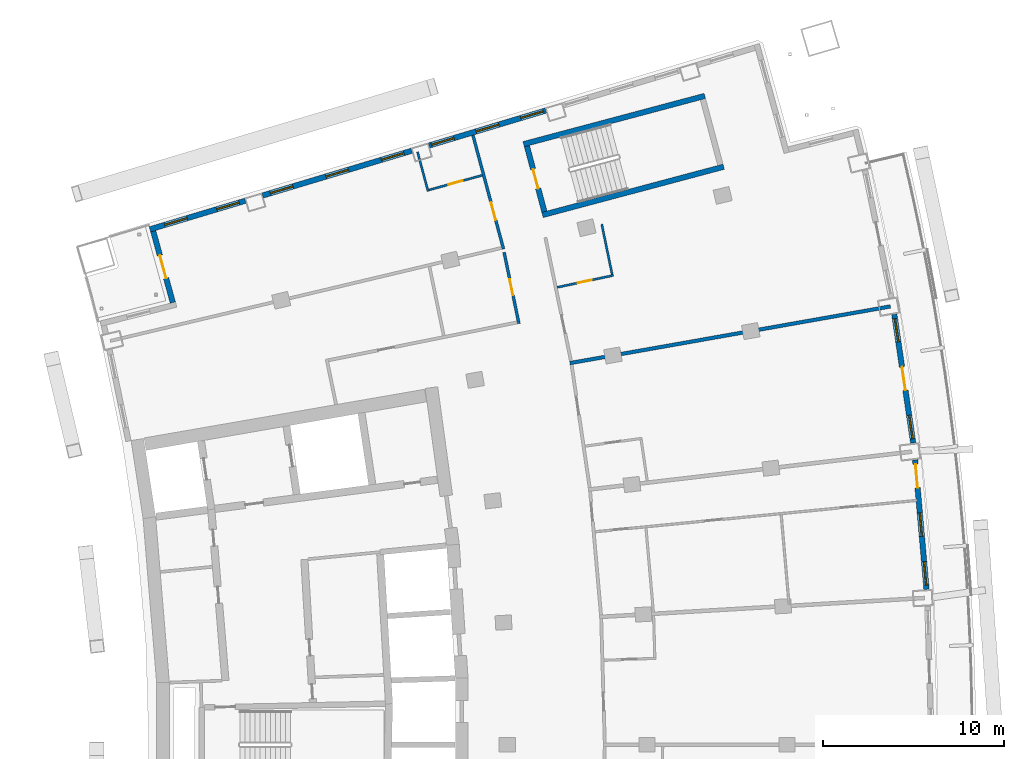
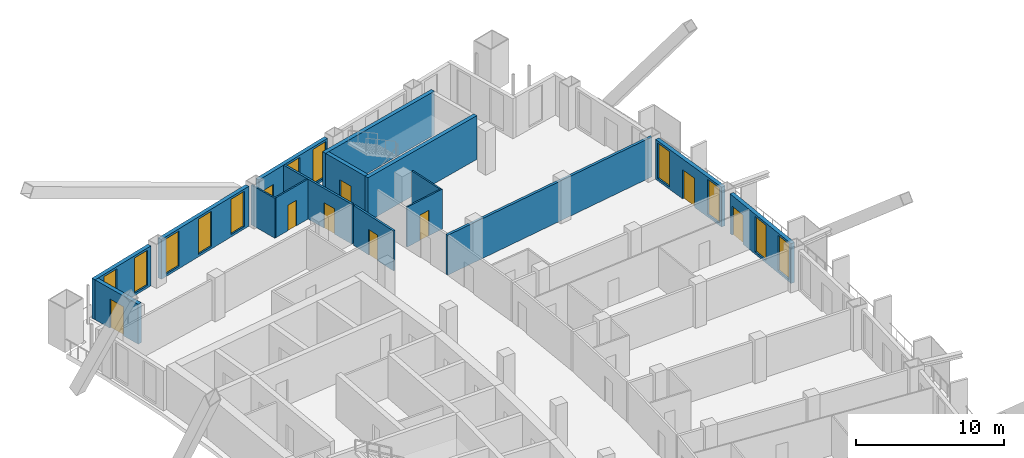
# One storey, part 15 of 19: 16 walls, 12 windows, 8 doors, 20 openings.
"""IFC4 building model written with IfcOpenShell, lengths in metres."""

from ifc_helpers import new_model, si_unit, direction, frame, frame_2d, origin, place, context, subcontext, project, spatial, rectangle, extrude, material, layer, layer_set, type_object, element, fill, save


model = new_model("IFC4")

# Units and contexts
model_context = context("Model", 3, precision=1e-05, world=origin(), true_north=direction((0.0, 1.0)))
body_context = subcontext(model_context, "Body", "Model", "MODEL_VIEW")
ifc_project = project(units=[si_unit("LENGTHUNIT", "METRE"), si_unit("AREAUNIT", "SQUARE_METRE"), si_unit("VOLUMEUNIT", "CUBIC_METRE"), si_unit("PLANEANGLEUNIT", "RADIAN"), si_unit("MASSUNIT", "GRAM", prefix="KILO")], contexts=[model_context])

# Site, building, storey
site_placement = place(None, origin())
site = spatial("IfcSite", under=ifc_project, at=site_placement, CompositionType="ELEMENT")
building_placement = place(site_placement, origin())
building = spatial("IfcBuilding", under=site, at=building_placement, Name="Alderwake Tower", CompositionType="ELEMENT")
storey_placement = place(building_placement, frame((0.0, 0.0, 171.199951171875)))
storey = spatial("IfcBuildingStorey", under=building, at=storey_placement, Name="L42", CompositionType="ELEMENT", Elevation=171.199951171875)

# Walls
ifc_material_1 = material(Name="Concrete C70/85", Category="concrete")
ifc_layer_1 = layer(ifc_material_1, 0.300048828125)
ifc_layer_set_1 = layer_set([ifc_layer_1], Name="Core wall stair enclosure 300 C70-85")
wall_type_1 = type_object("IfcWallType", Name="Core wall stair enclosure 300 C70-85", PredefinedType="SHEAR", material=ifc_layer_set_1)
for number, where, z_axis, x_axis, name in (
    (1, (36.71142578125, 94.182373046875, 0.0), (0.0, 0.0, 1.0), (0.966309214305, 0.257383958996, 0.0), "Core wall CW.082"),
    (2, (37.75390625, 90.268798828125, 0.0), (0.0, 0.0, 1.0), (0.966309214305, 0.257383958996, 0.0), "Core wall CW.084"),
):
    element("IfcWall", number, at=place(storey_placement, frame(where, z_axis=z_axis, x_axis=x_axis)), inside=storey, type_object=wall_type_1, Name=name, PredefinedType="SHEAR", context=body_context, shape_type="SweptSolid", body=[
        extrude(rectangle(XDim=10.360107421875, YDim=0.300048828125, at=frame_2d((5.18017578125, 0.0))), origin(), (0.0, 0.0, 1.0), 3.60009765625),
    ])

# Wall, opening, door
wall_1_placement = place(storey_placement, frame((37.8603515625, 90.452392578125, 0.0), z_axis=(0.0, 0.0, 1.0), x_axis=(-0.257411420208, 0.966301899381, 0.0)))
wall_1 = element("IfcWall", 3, at=wall_1_placement, inside=storey, type_object=wall_type_1, Name="Core wall CW.083", PredefinedType="SHEAR", context=body_context, shape_type="SweptSolid", body=[
    extrude(rectangle(XDim=3.750244140625, YDim=0.300048828125, at=frame_2d((1.875, 0.0))), origin(), (0.0, 0.0, 1.0), 3.60009765625),
])
opening_1_placement = place(wall_1_placement, frame((1.324951171875, 0.0, 0.0)))
opening_1 = element("IfcOpeningElement", 4, at=opening_1_placement, cuts=wall_1, Name="Opening C062", PredefinedType="OPENING", context=body_context, shape_type="SweptSolid", body=[
    extrude(rectangle(XDim=1.10009765625, YDim=2.10009765625, at=frame_2d((0.550048828125, 1.050048828125))), frame((0.0, 0.159912109375, 0.0), z_axis=(0.0, -1.0, 0.0), x_axis=(1.0, 0.0, 0.0)), (0.0, 0.0, 1.0), 0.320068359375),
])
ifc_material_2 = material(Name="Steel-framed fire door leaf", Category="steel")
door_type_1 = type_object("IfcDoorType", Name="Core stair door 1100 fire-rated", OperationType="SINGLE_SWING_LEFT", PredefinedType="DOOR", material=ifc_material_2)
door_1_placement = place(opening_1_placement, origin())
door_1 = element("IfcDoor", 5, at=door_1_placement, inside=storey, type_object=door_type_1, Name="Stair door", OperationType="SINGLE_SWING_RIGHT", OverallHeight=2.10009765625, OverallWidth=1.10009765625, PredefinedType="DOOR", context=body_context, shape_type="SweptSolid", body=[
    extrude(rectangle(XDim=1.10009765625, YDim=2.10009765625, at=frame_2d((0.550048828125, 1.050048828125))), frame((0.0, 0.02490234375, 0.0), z_axis=(0.0, -1.0, 0.0), x_axis=(1.0, 0.0, 0.0)), (0.0, 0.0, 1.0), 0.050048828125),
])
fill(opening_1, door_1)

ifc_material_3 = material(Name="Gypsum board on metal studs, rated")
ifc_layer_2 = layer(ifc_material_3, 0.159912109375)
ifc_layer_set_2 = layer_set([ifc_layer_2], Name="Corridor wall 160")
wall_type_2 = type_object("IfcWallType", Name="Corridor wall 160", PredefinedType="PARTITIONING", material=ifc_layer_set_2)
wall_2_placement = place(storey_placement, frame((35.600830078125, 88.392578125, 0.0), z_axis=(0.0, 0.0, 1.0), x_axis=(-0.259509260101, 0.965740619381, 0.0)))
wall_2 = element("IfcWall", 6, at=wall_2_placement, inside=storey, type_object=wall_type_2, Name="WL/L42/W19", PredefinedType="PARTITIONING", context=body_context, shape_type="SweptSolid", body=[
    extrude(rectangle(XDim=6.50732421875, YDim=0.159912109375, at=frame_2d((3.253662109375, 0.0))), origin(), (0.0, 0.0, 1.0), 3.280029296875),
])
opening_2_placement = place(wall_2_placement, frame((1.65771484375, 0.0, 0.0)))
opening_2 = element("IfcOpeningElement", 7, at=opening_2_placement, cuts=wall_2, Name="Opening R12-U11.1", PredefinedType="OPENING", context=body_context, shape_type="SweptSolid", body=[
    extrude(rectangle(XDim=1.0, YDim=2.10009765625, at=frame_2d((0.5, 1.050048828125))), frame((0.0, 0.08984375, 0.0), z_axis=(0.0, -1.0, 0.0), x_axis=(1.0, 0.0, 0.0)), (0.0, 0.0, 1.0), 0.179931640625),
])
ifc_material_4 = material(Name="Solid timber leaf in steel frame", Category="steel")
door_type_2 = type_object("IfcDoorType", Name="Flat entrance door 1000 fire-rated", OperationType="SINGLE_SWING_LEFT", PredefinedType="DOOR", material=ifc_material_4)
door_2_placement = place(opening_2_placement, origin())
door_2 = element("IfcDoor", 8, at=door_2_placement, inside=storey, type_object=door_type_2, Name="DR/L42/U11.1", OperationType="SINGLE_SWING_LEFT", OverallHeight=2.10009765625, OverallWidth=1.0, PredefinedType="DOOR", context=body_context, shape_type="SweptSolid", body=[
    extrude(rectangle(XDim=1.0, YDim=2.10009765625, at=frame_2d((0.5, 1.050048828125))), frame((0.0, 0.02490234375, 0.0), z_axis=(0.0, -1.0, 0.0), x_axis=(1.0, 0.0, 0.0)), (0.0, 0.0, 1.0), 0.050048828125),
])
fill(opening_2, door_2)

wall_3_placement = place(storey_placement, frame((36.451416015625, 84.272705078125, 0.0), z_axis=(0.0, 0.0, 1.0), x_axis=(-0.203258199701, 0.979125172924, 0.0)))
wall_3 = element("IfcWall", 9, at=wall_3_placement, inside=storey, type_object=wall_type_2, Name="WL/L42/W22", PredefinedType="PARTITIONING", context=body_context, shape_type="SweptSolid", body=[
    extrude(rectangle(XDim=4.020263671875, YDim=0.159912109375, at=frame_2d((2.01025390625, 0.0))), origin(), (0.0, 0.0, 1.0), 3.280029296875),
])
opening_3_placement = place(wall_3_placement, frame((1.599609375, 0.0, 0.0)))
opening_3 = element("IfcOpeningElement", 10, at=opening_3_placement, cuts=wall_3, Name="Opening R12-SBN2", PredefinedType="OPENING", context=body_context, shape_type="SweptSolid", body=[
    extrude(rectangle(XDim=0.89990234375, YDim=2.10009765625, at=frame_2d((0.449951171875, 1.050048828125))), frame((0.0, 0.08984375, 0.0), z_axis=(0.0, -1.0, 0.0), x_axis=(1.0, 0.0, 0.0)), (0.0, 0.0, 1.0), 0.179931640625),
])
ifc_material_5 = material(Name="Painted timber leaf", Category="wood")
door_type_3 = type_object("IfcDoorType", Name="Room door 900", OperationType="SINGLE_SWING_LEFT", PredefinedType="DOOR", material=ifc_material_5)
door_3_placement = place(opening_3_placement, origin())
door_3 = element("IfcDoor", 11, at=door_3_placement, inside=storey, type_object=door_type_3, Name="DR/L42/SBN2", OperationType="SINGLE_SWING_LEFT", OverallHeight=2.10009765625, OverallWidth=0.89990234375, PredefinedType="DOOR", context=body_context, shape_type="SweptSolid", body=[
    extrude(rectangle(XDim=0.89990234375, YDim=2.10009765625, at=frame_2d((0.449951171875, 1.050048828125))), frame((0.0, 0.02490234375, 0.0), z_axis=(0.0, -1.0, 0.0), x_axis=(1.0, 0.0, 0.0)), (0.0, 0.0, 1.0), 0.050048828125),
])
fill(opening_3, door_3)

# Wall, openings, door, windows
ifc_material_6 = material(Name="Precast concrete C50/60 spandrel panel", Category="concrete")
ifc_layer_3 = layer(ifc_material_6, 0.300048828125)
ifc_layer_set_3 = layer_set([ifc_layer_3], Name="External wall EW1 Precast concrete C50/60 spandrel")
wall_type_3 = type_object("IfcWallType", Name="External wall EW1 Precast concrete C50/60 spandrel", PredefinedType="SOLIDWALL", material=ifc_layer_set_3)
wall_4_placement = place(storey_placement, frame((58.9716796875, 69.589599609375, 0.0), z_axis=(0.0, 0.0, 1.0), x_axis=(-0.087372493124, 0.99617571113, 0.0)))
wall_4 = element("IfcWall", 12, at=wall_4_placement, inside=storey, type_object=wall_type_3, Name="External wall 17", PredefinedType="SOLIDWALL", context=body_context, shape_type="SweptSolid", body=[
    extrude(rectangle(XDim=7.175537109375, YDim=0.300048828125, at=frame_2d((3.587890625, 0.0))), origin(), (0.0, 0.0, 1.0), 3.280029296875),
])
opening_4_placement = place(wall_4_placement, frame((0.2353515625, 0.0, 0.199951171875)))
opening_4 = element("IfcOpeningElement", 13, at=opening_4_placement, cuts=wall_4, Name="Opening W1", PredefinedType="OPENING", context=body_context, shape_type="SweptSolid", body=[
    extrude(rectangle(XDim=1.300048828125, YDim=2.89990234375, at=frame_2d((0.64990234375, 1.449951171875))), frame((0.0, 0.159912109375, 0.0), z_axis=(0.0, -1.0, 0.0), x_axis=(1.0, 0.0, 0.0)), (0.0, 0.0, 1.0), 0.320068359375),
])
opening_5_placement = place(wall_4_placement, frame((2.937744140625, 0.0, 0.199951171875)))
opening_5 = element("IfcOpeningElement", 14, at=opening_5_placement, cuts=wall_4, Name="Opening W1", PredefinedType="OPENING", context=body_context, shape_type="SweptSolid", body=[
    extrude(rectangle(XDim=1.300048828125, YDim=2.89990234375, at=frame_2d((0.64990234375, 1.449951171875))), frame((0.0, 0.159912109375, 0.0), z_axis=(0.0, -1.0, 0.0), x_axis=(1.0, 0.0, 0.0)), (0.0, 0.0, 1.0), 0.320068359375),
])
opening_6_placement = place(wall_4_placement, frame((5.64013671875, 0.0, 0.0)))
opening_6 = element("IfcOpeningElement", 15, at=opening_6_placement, cuts=wall_4, Name="Opening D06", PredefinedType="OPENING", context=body_context, shape_type="SweptSolid", body=[
    extrude(rectangle(XDim=1.300048828125, YDim=2.39990234375, at=frame_2d((0.64990234375, 1.199951171875))), frame((0.0, 0.159912109375, 0.0), z_axis=(0.0, -1.0, 0.0), x_axis=(1.0, 0.0, 0.0)), (0.0, 0.0, 1.0), 0.320068359375),
])
ifc_material_7 = material(Name="Bronze tinted glass in aluminium frame", Category="aluminium")
door_type_4 = type_object("IfcDoorType", Name="Balcony door BD sliding", OperationType="SLIDING_TO_LEFT", PredefinedType="DOOR", material=ifc_material_7)
door_4_placement = place(opening_6_placement, origin())
door_4 = element("IfcDoor", 16, at=door_4_placement, inside=storey, type_object=door_type_4, Name="Door D06", OperationType="SLIDING_TO_LEFT", OverallHeight=2.39990234375, OverallWidth=1.300048828125, PredefinedType="DOOR", context=body_context, shape_type="SweptSolid", body=[
    extrude(rectangle(XDim=1.300048828125, YDim=2.39990234375, at=frame_2d((0.64990234375, 1.199951171875))), frame((0.0, 0.02490234375, 0.0), z_axis=(0.0, -1.0, 0.0), x_axis=(1.0, 0.0, 0.0)), (0.0, 0.0, 1.0), 0.050048828125),
])
fill(opening_6, door_4)
ifc_material_8 = material(Name="Bronze tinted glass in aluminium frame", Category="aluminium")
window_type_1 = type_object("IfcWindowType", Name="Window W1 tall fixed and vent", PartitioningType="DOUBLE_PANEL_VERTICAL", PredefinedType="WINDOW", material=ifc_material_8)
window_1_placement = place(opening_4_placement, origin())
window_1 = element("IfcWindow", 17, at=window_1_placement, inside=storey, type_object=window_type_1, Name="Window W1 tall fixed and vent", OverallHeight=2.89990234375, OverallWidth=1.300048828125, PartitioningType="DOUBLE_PANEL_VERTICAL", PredefinedType="WINDOW", context=body_context, shape_type="SweptSolid", body=[
    extrude(rectangle(XDim=1.300048828125, YDim=2.89990234375, at=frame_2d((0.64990234375, 1.449951171875))), frame((0.0, 0.030029296875, 0.0), z_axis=(0.0, -1.0, 0.0), x_axis=(1.0, 0.0, 0.0)), (0.0, 0.0, 1.0), 0.06005859375),
])
fill(opening_4, window_1)
window_2_placement = place(opening_5_placement, origin())
window_2 = element("IfcWindow", 18, at=window_2_placement, inside=storey, type_object=window_type_1, Name="Window W1 tall fixed and vent", OverallHeight=2.89990234375, OverallWidth=1.300048828125, PartitioningType="DOUBLE_PANEL_VERTICAL", PredefinedType="WINDOW", context=body_context, shape_type="SweptSolid", body=[
    extrude(rectangle(XDim=1.300048828125, YDim=2.89990234375, at=frame_2d((0.64990234375, 1.449951171875))), frame((0.0, 0.030029296875, 0.0), z_axis=(0.0, -1.0, 0.0), x_axis=(1.0, 0.0, 0.0)), (0.0, 0.0, 1.0), 0.06005859375),
])
fill(opening_5, window_2)

wall_5_placement = place(storey_placement, frame((58.234619140625, 77.677001953125, 0.0), z_axis=(0.0, 0.0, 1.0), x_axis=(-0.145316694365, 0.989385192096, 0.0)))
wall_5 = element("IfcWall", 19, at=wall_5_placement, inside=storey, type_object=wall_type_3, Name="External wall 18", PredefinedType="SOLIDWALL", context=body_context, shape_type="SweptSolid", body=[
    extrude(rectangle(XDim=7.175537109375, YDim=0.300048828125, at=frame_2d((3.587890625, 0.0))), origin(), (0.0, 0.0, 1.0), 3.280029296875),
])
opening_7_placement = place(wall_5_placement, frame((0.2353515625, 0.0, 0.199951171875)))
opening_7 = element("IfcOpeningElement", 20, at=opening_7_placement, cuts=wall_5, Name="Opening W1", PredefinedType="OPENING", context=body_context, shape_type="SweptSolid", body=[
    extrude(rectangle(XDim=1.300048828125, YDim=2.89990234375, at=frame_2d((0.64990234375, 1.449951171875))), frame((0.0, 0.159912109375, 0.0), z_axis=(0.0, -1.0, 0.0), x_axis=(1.0, 0.0, 0.0)), (0.0, 0.0, 1.0), 0.320068359375),
])
opening_8_placement = place(wall_5_placement, frame((2.937744140625, 0.0, 0.0)))
opening_8 = element("IfcOpeningElement", 21, at=opening_8_placement, cuts=wall_5, Name="Opening D07", PredefinedType="OPENING", context=body_context, shape_type="SweptSolid", body=[
    extrude(rectangle(XDim=1.300048828125, YDim=2.39990234375, at=frame_2d((0.64990234375, 1.199951171875))), frame((0.0, 0.159912109375, 0.0), z_axis=(0.0, -1.0, 0.0), x_axis=(1.0, 0.0, 0.0)), (0.0, 0.0, 1.0), 0.320068359375),
])
opening_9_placement = place(wall_5_placement, frame((5.64013671875, 0.0, 0.199951171875)))
opening_9 = element("IfcOpeningElement", 22, at=opening_9_placement, cuts=wall_5, Name="Opening W1", PredefinedType="OPENING", context=body_context, shape_type="SweptSolid", body=[
    extrude(rectangle(XDim=1.300048828125, YDim=2.89990234375, at=frame_2d((0.64990234375, 1.449951171875))), frame((0.0, 0.159912109375, 0.0), z_axis=(0.0, -1.0, 0.0), x_axis=(1.0, 0.0, 0.0)), (0.0, 0.0, 1.0), 0.320068359375),
])
door_5_placement = place(opening_8_placement, origin())
door_5 = element("IfcDoor", 23, at=door_5_placement, inside=storey, type_object=door_type_4, Name="Door D07", OperationType="SLIDING_TO_LEFT", OverallHeight=2.39990234375, OverallWidth=1.300048828125, PredefinedType="DOOR", context=body_context, shape_type="SweptSolid", body=[
    extrude(rectangle(XDim=1.300048828125, YDim=2.39990234375, at=frame_2d((0.64990234375, 1.199951171875))), frame((0.0, 0.02490234375, 0.0), z_axis=(0.0, -1.0, 0.0), x_axis=(1.0, 0.0, 0.0)), (0.0, 0.0, 1.0), 0.050048828125),
])
fill(opening_8, door_5)
window_3_placement = place(opening_7_placement, origin())
window_3 = element("IfcWindow", 24, at=window_3_placement, inside=storey, type_object=window_type_1, Name="Window W1 tall fixed and vent", OverallHeight=2.89990234375, OverallWidth=1.300048828125, PartitioningType="DOUBLE_PANEL_VERTICAL", PredefinedType="WINDOW", context=body_context, shape_type="SweptSolid", body=[
    extrude(rectangle(XDim=1.300048828125, YDim=2.89990234375, at=frame_2d((0.64990234375, 1.449951171875))), frame((0.0, 0.030029296875, 0.0), z_axis=(0.0, -1.0, 0.0), x_axis=(1.0, 0.0, 0.0)), (0.0, 0.0, 1.0), 0.06005859375),
])
fill(opening_7, window_3)
window_4_placement = place(opening_9_placement, origin())
window_4 = element("IfcWindow", 25, at=window_4_placement, inside=storey, type_object=window_type_1, Name="Window W1 tall fixed and vent", OverallHeight=2.89990234375, OverallWidth=1.300048828125, PartitioningType="DOUBLE_PANEL_VERTICAL", PredefinedType="WINDOW", context=body_context, shape_type="SweptSolid", body=[
    extrude(rectangle(XDim=1.300048828125, YDim=2.89990234375, at=frame_2d((0.64990234375, 1.449951171875))), frame((0.0, 0.030029296875, 0.0), z_axis=(0.0, -1.0, 0.0), x_axis=(1.0, 0.0, 0.0)), (0.0, 0.0, 1.0), 0.06005859375),
])
fill(opening_9, window_4)

# Wall, openings, windows
ifc_material_9 = material(Name="Bronze metal cladding on lightweight framing")
ifc_layer_4 = layer(ifc_material_9, 0.300048828125)
ifc_layer_set_4 = layer_set([ifc_layer_4], Name="External wall EW2 bronze metal cladding")
wall_type_4 = type_object("IfcWallType", Name="External wall EW2 bronze metal cladding", PredefinedType="SOLIDWALL", material=ifc_layer_set_4)
wall_6_placement = place(storey_placement, frame((37.9345703125, 96.0419921875, 0.0), z_axis=(0.0, 0.0, 1.0), x_axis=(-0.957766354081, -0.287547580396, 0.0)))
wall_6 = element("IfcWall", 26, at=wall_6_placement, inside=storey, type_object=wall_type_4, Name="External wall 25", PredefinedType="SOLIDWALL", context=body_context, shape_type="SweptSolid", body=[
    extrude(rectangle(XDim=6.7294921875, YDim=0.300048828125, at=frame_2d((3.36474609375, 0.0))), origin(), (0.0, 0.0, 1.0), 3.280029296875),
])
opening_10_placement = place(wall_6_placement, frame((0.136962890625, 0.0, 0.199951171875)))
opening_10 = element("IfcOpeningElement", 27, at=opening_10_placement, cuts=wall_6, Name="Opening W1", PredefinedType="OPENING", context=body_context, shape_type="SweptSolid", body=[
    extrude(rectangle(XDim=1.300048828125, YDim=2.89990234375, at=frame_2d((0.64990234375, 1.449951171875))), frame((0.0, 0.159912109375, 0.0), z_axis=(0.0, -1.0, 0.0), x_axis=(1.0, 0.0, 0.0)), (0.0, 0.0, 1.0), 0.320068359375),
])
opening_11_placement = place(wall_6_placement, frame((2.71484375, 0.0, 0.199951171875)))
opening_11 = element("IfcOpeningElement", 28, at=opening_11_placement, cuts=wall_6, Name="Opening W1", PredefinedType="OPENING", context=body_context, shape_type="SweptSolid", body=[
    extrude(rectangle(XDim=1.300048828125, YDim=2.89990234375, at=frame_2d((0.64990234375, 1.449951171875))), frame((0.0, 0.159912109375, 0.0), z_axis=(0.0, -1.0, 0.0), x_axis=(1.0, 0.0, 0.0)), (0.0, 0.0, 1.0), 0.320068359375),
])
opening_12_placement = place(wall_6_placement, frame((5.29248046875, 0.0, 1.0)))
opening_12 = element("IfcOpeningElement", 29, at=opening_12_placement, cuts=wall_6, Name="Opening W2", PredefinedType="OPENING", context=body_context, shape_type="SweptSolid", body=[
    extrude(rectangle(XDim=1.300048828125, YDim=1.199951171875, at=frame_2d((0.64990234375, 0.60009765625))), frame((0.0, 0.159912109375, 0.0), z_axis=(0.0, -1.0, 0.0), x_axis=(1.0, 0.0, 0.0)), (0.0, 0.0, 1.0), 0.320068359375),
])
window_5_placement = place(opening_10_placement, origin())
window_5 = element("IfcWindow", 30, at=window_5_placement, inside=storey, type_object=window_type_1, Name="Window W1 tall fixed and vent", OverallHeight=2.89990234375, OverallWidth=1.300048828125, PartitioningType="DOUBLE_PANEL_VERTICAL", PredefinedType="WINDOW", context=body_context, shape_type="SweptSolid", body=[
    extrude(rectangle(XDim=1.300048828125, YDim=2.89990234375, at=frame_2d((0.64990234375, 1.449951171875))), frame((0.0, 0.030029296875, 0.0), z_axis=(0.0, -1.0, 0.0), x_axis=(1.0, 0.0, 0.0)), (0.0, 0.0, 1.0), 0.06005859375),
])
fill(opening_10, window_5)
window_6_placement = place(opening_11_placement, origin())
window_6 = element("IfcWindow", 31, at=window_6_placement, inside=storey, type_object=window_type_1, Name="Window W1 tall fixed and vent", OverallHeight=2.89990234375, OverallWidth=1.300048828125, PartitioningType="DOUBLE_PANEL_VERTICAL", PredefinedType="WINDOW", context=body_context, shape_type="SweptSolid", body=[
    extrude(rectangle(XDim=1.300048828125, YDim=2.89990234375, at=frame_2d((0.64990234375, 1.449951171875))), frame((0.0, 0.030029296875, 0.0), z_axis=(0.0, -1.0, 0.0), x_axis=(1.0, 0.0, 0.0)), (0.0, 0.0, 1.0), 0.06005859375),
])
fill(opening_11, window_6)
ifc_material_10 = material(Name="Bronze tinted glass in aluminium frame", Category="aluminium")
window_type_2 = type_object("IfcWindowType", Name="Window W2 kitchen and bath", PartitioningType="SINGLE_PANEL", PredefinedType="WINDOW", material=ifc_material_10)
window_7_placement = place(opening_12_placement, origin())
window_7 = element("IfcWindow", 32, at=window_7_placement, inside=storey, type_object=window_type_2, Name="Window W2 kitchen and bath", OverallHeight=1.199951171875, OverallWidth=1.300048828125, PartitioningType="SINGLE_PANEL", PredefinedType="WINDOW", context=body_context, shape_type="SweptSolid", body=[
    extrude(rectangle(XDim=1.300048828125, YDim=1.199951171875, at=frame_2d((0.64990234375, 0.60009765625))), frame((0.0, 0.030029296875, 0.0), z_axis=(0.0, -1.0, 0.0), x_axis=(1.0, 0.0, 0.0)), (0.0, 0.0, 1.0), 0.06005859375),
])
fill(opening_12, window_7)

wall_7_placement = place(storey_placement, frame((30.527587890625, 93.818115234375, 0.0), z_axis=(0.0, 0.0, 1.0), x_axis=(-0.957768419769, -0.287540699891, 0.0)))
wall_7 = element("IfcWall", 33, at=wall_7_placement, inside=storey, type_object=wall_type_4, Name="External wall 26", PredefinedType="SOLIDWALL", context=body_context, shape_type="SweptSolid", body=[
    extrude(rectangle(XDim=8.595947265625, YDim=0.300048828125, at=frame_2d((4.2978515625, 0.0))), origin(), (0.0, 0.0, 1.0), 3.280029296875),
])
opening_13_placement = place(wall_7_placement, frame((0.447998046875, 0.0, 0.199951171875)))
opening_13 = element("IfcOpeningElement", 34, at=opening_13_placement, cuts=wall_7, Name="Opening W1", PredefinedType="OPENING", context=body_context, shape_type="SweptSolid", body=[
    extrude(rectangle(XDim=1.300048828125, YDim=2.89990234375, at=frame_2d((0.64990234375, 1.449951171875))), frame((0.0, 0.159912109375, 0.0), z_axis=(0.0, -1.0, 0.0), x_axis=(1.0, 0.0, 0.0)), (0.0, 0.0, 1.0), 0.320068359375),
])
opening_14_placement = place(wall_7_placement, frame((3.64794921875, 0.0, 0.199951171875)))
opening_14 = element("IfcOpeningElement", 35, at=opening_14_placement, cuts=wall_7, Name="Opening W1", PredefinedType="OPENING", context=body_context, shape_type="SweptSolid", body=[
    extrude(rectangle(XDim=1.300048828125, YDim=2.89990234375, at=frame_2d((0.64990234375, 1.449951171875))), frame((0.0, 0.159912109375, 0.0), z_axis=(0.0, -1.0, 0.0), x_axis=(1.0, 0.0, 0.0)), (0.0, 0.0, 1.0), 0.320068359375),
])
opening_15_placement = place(wall_7_placement, frame((6.84814453125, 0.0, 0.199951171875)))
opening_15 = element("IfcOpeningElement", 36, at=opening_15_placement, cuts=wall_7, Name="Opening W1", PredefinedType="OPENING", context=body_context, shape_type="SweptSolid", body=[
    extrude(rectangle(XDim=1.300048828125, YDim=2.89990234375, at=frame_2d((0.64990234375, 1.449951171875))), frame((0.0, 0.159912109375, 0.0), z_axis=(0.0, -1.0, 0.0), x_axis=(1.0, 0.0, 0.0)), (0.0, 0.0, 1.0), 0.320068359375),
])
window_8_placement = place(opening_13_placement, origin())
window_8 = element("IfcWindow", 37, at=window_8_placement, inside=storey, type_object=window_type_1, Name="Window W1 tall fixed and vent", OverallHeight=2.89990234375, OverallWidth=1.300048828125, PartitioningType="DOUBLE_PANEL_VERTICAL", PredefinedType="WINDOW", context=body_context, shape_type="SweptSolid", body=[
    extrude(rectangle(XDim=1.300048828125, YDim=2.89990234375, at=frame_2d((0.64990234375, 1.449951171875))), frame((0.0, 0.030029296875, 0.0), z_axis=(0.0, -1.0, 0.0), x_axis=(1.0, 0.0, 0.0)), (0.0, 0.0, 1.0), 0.06005859375),
])
fill(opening_13, window_8)
window_9_placement = place(opening_14_placement, origin())
window_9 = element("IfcWindow", 38, at=window_9_placement, inside=storey, type_object=window_type_1, Name="Window W1 tall fixed and vent", OverallHeight=2.89990234375, OverallWidth=1.300048828125, PartitioningType="DOUBLE_PANEL_VERTICAL", PredefinedType="WINDOW", context=body_context, shape_type="SweptSolid", body=[
    extrude(rectangle(XDim=1.300048828125, YDim=2.89990234375, at=frame_2d((0.64990234375, 1.449951171875))), frame((0.0, 0.030029296875, 0.0), z_axis=(0.0, -1.0, 0.0), x_axis=(1.0, 0.0, 0.0)), (0.0, 0.0, 1.0), 0.06005859375),
])
fill(opening_14, window_9)
window_10_placement = place(opening_15_placement, origin())
window_10 = element("IfcWindow", 39, at=window_10_placement, inside=storey, type_object=window_type_1, Name="Window W1 tall fixed and vent", OverallHeight=2.89990234375, OverallWidth=1.300048828125, PartitioningType="DOUBLE_PANEL_VERTICAL", PredefinedType="WINDOW", context=body_context, shape_type="SweptSolid", body=[
    extrude(rectangle(XDim=1.300048828125, YDim=2.89990234375, at=frame_2d((0.64990234375, 1.449951171875))), frame((0.0, 0.030029296875, 0.0), z_axis=(0.0, -1.0, 0.0), x_axis=(1.0, 0.0, 0.0)), (0.0, 0.0, 1.0), 0.06005859375),
])
fill(opening_15, window_10)

wall_8_placement = place(storey_placement, frame((21.332763671875, 91.0576171875, 0.0), z_axis=(0.0, 0.0, 1.0), x_axis=(-0.957767615614, -0.287543378434, 0.0)))
wall_8 = element("IfcWall", 40, at=wall_8_placement, inside=storey, type_object=wall_type_4, Name="External wall 27", PredefinedType="SOLIDWALL", context=body_context, shape_type="SweptSolid", body=[
    extrude(rectangle(XDim=5.499267578125, YDim=0.300048828125, at=frame_2d((2.74951171875, 0.0))), origin(), (0.0, 0.0, 1.0), 3.280029296875),
])
opening_16_placement = place(wall_8_placement, frame((0.34814453125, 0.0, 0.199951171875)))
opening_16 = element("IfcOpeningElement", 41, at=opening_16_placement, cuts=wall_8, Name="Opening W1", PredefinedType="OPENING", context=body_context, shape_type="SweptSolid", body=[
    extrude(rectangle(XDim=1.300048828125, YDim=2.89990234375, at=frame_2d((0.64990234375, 1.449951171875))), frame((0.0, 0.159912109375, 0.0), z_axis=(0.0, -1.0, 0.0), x_axis=(1.0, 0.0, 0.0)), (0.0, 0.0, 1.0), 0.320068359375),
])
opening_17_placement = place(wall_8_placement, frame((3.34912109375, 0.0, 0.199951171875)))
opening_17 = element("IfcOpeningElement", 42, at=opening_17_placement, cuts=wall_8, Name="Opening W1", PredefinedType="OPENING", context=body_context, shape_type="SweptSolid", body=[
    extrude(rectangle(XDim=1.300048828125, YDim=2.89990234375, at=frame_2d((0.64990234375, 1.449951171875))), frame((0.0, 0.159912109375, 0.0), z_axis=(0.0, -1.0, 0.0), x_axis=(1.0, 0.0, 0.0)), (0.0, 0.0, 1.0), 0.320068359375),
])
window_11_placement = place(opening_16_placement, origin())
window_11 = element("IfcWindow", 43, at=window_11_placement, inside=storey, type_object=window_type_1, Name="Window W1 tall fixed and vent", OverallHeight=2.89990234375, OverallWidth=1.300048828125, PartitioningType="DOUBLE_PANEL_VERTICAL", PredefinedType="WINDOW", context=body_context, shape_type="SweptSolid", body=[
    extrude(rectangle(XDim=1.300048828125, YDim=2.89990234375, at=frame_2d((0.64990234375, 1.449951171875))), frame((0.0, 0.030029296875, 0.0), z_axis=(0.0, -1.0, 0.0), x_axis=(1.0, 0.0, 0.0)), (0.0, 0.0, 1.0), 0.06005859375),
])
fill(opening_16, window_11)
window_12_placement = place(opening_17_placement, origin())
window_12 = element("IfcWindow", 44, at=window_12_placement, inside=storey, type_object=window_type_1, Name="Window W1 tall fixed and vent", OverallHeight=2.89990234375, OverallWidth=1.300048828125, PartitioningType="DOUBLE_PANEL_VERTICAL", PredefinedType="WINDOW", context=body_context, shape_type="SweptSolid", body=[
    extrude(rectangle(XDim=1.300048828125, YDim=2.89990234375, at=frame_2d((0.64990234375, 1.449951171875))), frame((0.0, 0.030029296875, 0.0), z_axis=(0.0, -1.0, 0.0), x_axis=(1.0, 0.0, 0.0)), (0.0, 0.0, 1.0), 0.06005859375),
])
fill(opening_17, window_12)

# Wall, opening, door
wall_9_placement = place(storey_placement, frame((16.248779296875, 89.374755859375, 0.0), z_axis=(0.0, 0.0, 1.0), x_axis=(0.264607053468, -0.964356317579, 0.0)))
wall_9 = element("IfcWall", 45, at=wall_9_placement, inside=storey, type_object=wall_type_4, Name="External wall 28", PredefinedType="SOLIDWALL", context=body_context, shape_type="SweptSolid", body=[
    extrude(rectangle(XDim=4.090087890625, YDim=0.300048828125, at=frame_2d((2.044921875, 0.0))), origin(), (0.0, 0.0, 1.0), 3.280029296875),
])
opening_18_placement = place(wall_9_placement, frame((1.39501953125, 0.0, 0.0)))
opening_18 = element("IfcOpeningElement", 46, at=opening_18_placement, cuts=wall_9, Name="Opening D09", PredefinedType="OPENING", context=body_context, shape_type="SweptSolid", body=[
    extrude(rectangle(XDim=1.300048828125, YDim=2.39990234375, at=frame_2d((0.64990234375, 1.199951171875))), frame((0.0, 0.159912109375, 0.0), z_axis=(0.0, -1.0, 0.0), x_axis=(1.0, 0.0, 0.0)), (0.0, 0.0, 1.0), 0.320068359375),
])
door_6_placement = place(opening_18_placement, origin())
door_6 = element("IfcDoor", 47, at=door_6_placement, inside=storey, type_object=door_type_4, Name="Door D09", OperationType="SLIDING_TO_LEFT", OverallHeight=2.39990234375, OverallWidth=1.300048828125, PredefinedType="DOOR", context=body_context, shape_type="SweptSolid", body=[
    extrude(rectangle(XDim=1.300048828125, YDim=2.39990234375, at=frame_2d((0.64990234375, 1.199951171875))), frame((0.0, 0.02490234375, 0.0), z_axis=(0.0, -1.0, 0.0), x_axis=(1.0, 0.0, 0.0)), (0.0, 0.0, 1.0), 0.050048828125),
])
fill(opening_18, door_6)

# Walls
ifc_material_11 = material(Name="Dense block masonry wall", Category="masonry")
ifc_layer_5 = layer(ifc_material_11, 0.199951171875)
ifc_layer_set_5 = layer_set([ifc_layer_5], Name="Party wall 200")
wall_type_5 = type_object("IfcWallType", Name="Party wall 200", PredefinedType="SOLIDWALL", material=ifc_layer_set_5)
wall_10_placement = place(storey_placement, frame((56.97607421875, 85.218017578125, 0.0), z_axis=(0.0, 0.0, 1.0), x_axis=(-0.984725138861, -0.174116055824, 0.0)))
element("IfcWall", 48, at=wall_10_placement, inside=storey, type_object=wall_type_5, Name="WL/L42/W03", PredefinedType="SOLIDWALL", context=body_context, shape_type="SweptSolid", body=[
    extrude(rectangle(XDim=17.9814453125, YDim=0.199951171875, at=frame_2d((8.99072265625, 0.0))), origin(), (0.0, 0.0, 1.0), 3.280029296875),
])
ifc_material_12 = material(Name="Moisture resistant gypsum board on metal studs")
ifc_layer_6 = layer(ifc_material_12, 0.1201171875)
ifc_layer_set_6 = layer_set([ifc_layer_6], Name="Wet room partition 120")
wall_type_6 = type_object("IfcWallType", Name="Wet room partition 120", PredefinedType="PARTITIONING", material=ifc_layer_set_6)
wall_11_placement = place(storey_placement, frame((30.84912109375, 93.759033203125, 0.0), z_axis=(0.0, 0.0, 1.0), x_axis=(0.259155613864, -0.965835580108, 0.0)))
element("IfcWall", 49, at=wall_11_placement, inside=storey, type_object=wall_type_6, Name="WL/L42/W36", PredefinedType="PARTITIONING", context=body_context, shape_type="SweptSolid", body=[
    extrude(rectangle(XDim=2.259033203125, YDim=0.1201171875, at=frame_2d((1.12939453125, 0.0))), origin(), (0.0, 0.0, 1.0), 3.280029296875),
])

# Wall, opening, door
wall_12_placement = place(storey_placement, frame((31.476806640625, 91.65087890625, 0.0), z_axis=(0.0, 0.0, 1.0), x_axis=(0.964118102321, 0.265473698843, 0.0)))
wall_12 = element("IfcWall", 50, at=wall_12_placement, inside=storey, type_object=wall_type_6, Name="WL/L42/W38", PredefinedType="PARTITIONING", context=body_context, shape_type="SweptSolid", body=[
    extrude(rectangle(XDim=3.058837890625, YDim=0.1201171875, at=frame_2d((1.529296875, 0.0))), origin(), (0.0, 0.0, 1.0), 3.280029296875),
])
opening_19_placement = place(wall_12_placement, frame((1.12939453125, 0.0, 0.0)))
opening_19 = element("IfcOpeningElement", 51, at=opening_19_placement, cuts=wall_12, Name="Opening R12-U11.2", PredefinedType="OPENING", context=body_context, shape_type="SweptSolid", body=[
    extrude(rectangle(XDim=0.800048828125, YDim=2.10009765625, at=frame_2d((0.39990234375, 1.050048828125))), frame((0.0, 0.070068359375, 0.0), z_axis=(0.0, -1.0, 0.0), x_axis=(1.0, 0.0, 0.0)), (0.0, 0.0, 1.0), 0.14013671875),
])
ifc_material_13 = material(Name="Painted timber leaf", Category="wood")
door_type_5 = type_object("IfcDoorType", Name="Bathroom door 800", OperationType="SINGLE_SWING_LEFT", PredefinedType="DOOR", material=ifc_material_13)
door_7_placement = place(opening_19_placement, origin())
door_7 = element("IfcDoor", 52, at=door_7_placement, inside=storey, type_object=door_type_5, Name="DR/L42/U11.2", OperationType="SINGLE_SWING_LEFT", OverallHeight=2.10009765625, OverallWidth=0.800048828125, PredefinedType="DOOR", context=body_context, shape_type="SweptSolid", body=[
    extrude(rectangle(XDim=0.800048828125, YDim=2.10009765625, at=frame_2d((0.39990234375, 1.050048828125))), frame((0.0, 0.02490234375, 0.0), z_axis=(0.0, -1.0, 0.0), x_axis=(1.0, 0.0, 0.0)), (0.0, 0.0, 1.0), 0.050048828125),
])
fill(opening_19, door_7)

wall_13_placement = place(storey_placement, frame((38.568115234375, 86.272705078125, 0.0), z_axis=(0.0, 0.0, 1.0), x_axis=(0.978050304183, 0.208368909598, 0.0)))
wall_13 = element("IfcWall", 53, at=wall_13_placement, inside=storey, type_object=wall_type_6, Name="WL/L42/W40", PredefinedType="PARTITIONING", context=body_context, shape_type="SweptSolid", body=[
    extrude(rectangle(XDim=3.176513671875, YDim=0.1201171875, at=frame_2d((1.58837890625, 0.0))), origin(), (0.0, 0.0, 1.0), 3.280029296875),
])
opening_20_placement = place(wall_13_placement, frame((1.15869140625, 0.0, 0.0)))
opening_20 = element("IfcOpeningElement", 54, at=opening_20_placement, cuts=wall_13, Name="Opening R12-U09.2", PredefinedType="OPENING", context=body_context, shape_type="SweptSolid", body=[
    extrude(rectangle(XDim=0.800048828125, YDim=2.10009765625, at=frame_2d((0.39990234375, 1.050048828125))), frame((0.0, 0.070068359375, 0.0), z_axis=(0.0, -1.0, 0.0), x_axis=(1.0, 0.0, 0.0)), (0.0, 0.0, 1.0), 0.14013671875),
])
door_8_placement = place(opening_20_placement, origin())
door_8 = element("IfcDoor", 55, at=door_8_placement, inside=storey, type_object=door_type_5, Name="DR/L42/U09.2", OperationType="SINGLE_SWING_LEFT", OverallHeight=2.10009765625, OverallWidth=0.800048828125, PredefinedType="DOOR", context=body_context, shape_type="SweptSolid", body=[
    extrude(rectangle(XDim=0.800048828125, YDim=2.10009765625, at=frame_2d((0.39990234375, 1.050048828125))), frame((0.0, 0.02490234375, 0.0), z_axis=(0.0, -1.0, 0.0), x_axis=(1.0, 0.0, 0.0)), (0.0, 0.0, 1.0), 0.050048828125),
])
fill(opening_20, door_8)

# Wall
wall_14_placement = place(storey_placement, frame((41.603759765625, 86.980712890625, 0.0), z_axis=(0.0, 0.0, 1.0), x_axis=(-0.202622652807, 0.97925689202, 0.0)))
element("IfcWall", 56, at=wall_14_placement, inside=storey, type_object=wall_type_6, Name="WL/L42/W44", PredefinedType="PARTITIONING", context=body_context, shape_type="SweptSolid", body=[
    extrude(rectangle(XDim=2.841064453125, YDim=0.1201171875, at=frame_2d((1.42041015625, 0.0))), origin(), (0.0, 0.0, 1.0), 3.280029296875),
])

save(model, "model.ifc")
